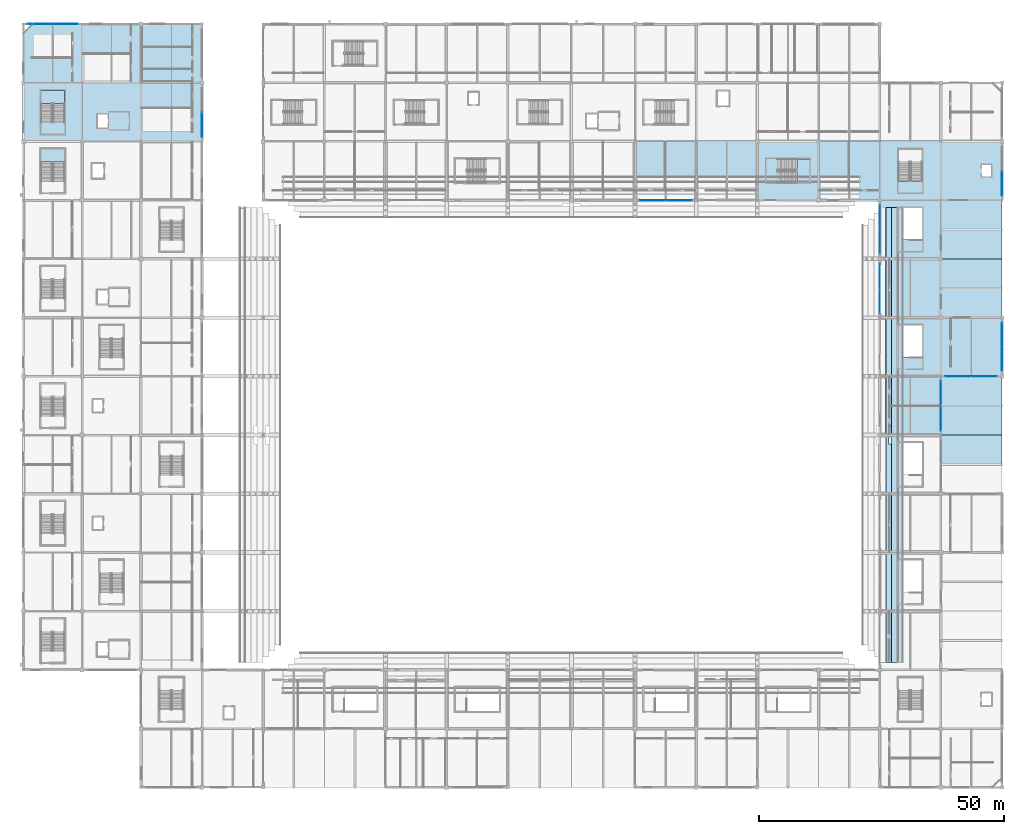
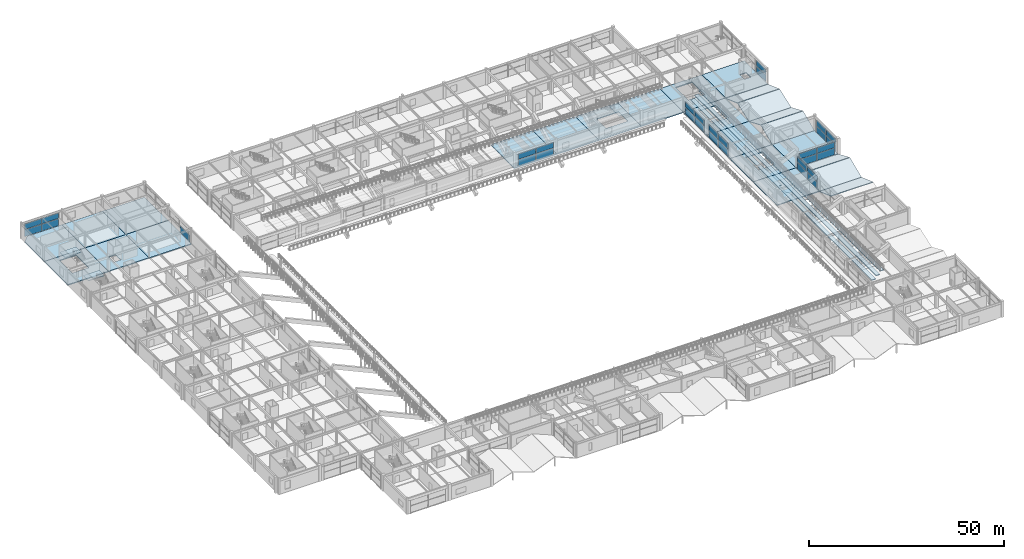
# One storey, part 73 of 128: 31 plates, 30 slabs, 12 elements without a shape of their own.
"""IFC4 building model written with IfcOpenShell, lengths in metres."""

from ifc_helpers import new_model, si_unit, direction, frame, origin, origin_2d, place, context, subcontext, project, spatial, polyline, rectangle, outline, extrude, material, layer, layer_set, type_object, element, aggregate, save


model = new_model("IFC4")

# Units and contexts
model_context = context("Model", 3, precision=1e-05, world=origin(), true_north=direction((0.0, 1.0)))
body_context = subcontext(model_context, "Body", "Model", "MODEL_VIEW")
ifc_project = project(units=[si_unit("LENGTHUNIT", "METRE"), si_unit("AREAUNIT", "SQUARE_METRE"), si_unit("VOLUMEUNIT", "CUBIC_METRE"), si_unit("PLANEANGLEUNIT", "RADIAN"), si_unit("MASSUNIT", "GRAM", prefix="KILO")], contexts=[model_context])

# Site, building, storey
site_placement = place(None, origin())
site = spatial("IfcSite", under=ifc_project, at=site_placement, CompositionType="ELEMENT")
building_placement = place(site_placement, origin())
building = spatial("IfcBuilding", under=site, at=building_placement, Name="Kazenohara Klinker Stadium", CompositionType="ELEMENT")
storey_placement = place(building_placement, frame((0.0, 0.0, 15.300048828125)))
storey = spatial("IfcBuildingStorey", under=building, at=storey_placement, Name="L03", CompositionType="ELEMENT", Elevation=15.300048828125)

# Curtain wall, plates
ifc_material_1 = material(Name="Anodised aluminium and triple glazing", Category="aluminium")
ifc_layer_1 = layer(ifc_material_1, 0.179931640625)
ifc_layer_set_1 = layer_set([ifc_layer_1], Name="Anodised aluminium and triple glazing")
curtain_wall_type_1 = type_object("IfcCurtainWallType", Name="CW-SYS-02", PredefinedType="USERDEFINED", material=ifc_layer_set_1)
curtain_wall_1_placement = place(storey_placement, origin())
curtain_wall_1 = element("IfcCurtainWall", 1, at=curtain_wall_1_placement, inside=storey, type_object=curtain_wall_type_1, Name="Unitised facade curtain wall CW02 L03 X0-14", ObjectType="UNITISED CURTAIN WALL", PredefinedType="USERDEFINED")
ifc_material_2 = material(Name="Low-e laminated triple glazing", Category="glass")
ifc_layer_2 = layer(ifc_material_2, 0.0439453125)
ifc_layer_set_2 = layer_set([ifc_layer_2], Name="Low-e laminated triple glazing")
plate_type = type_object("IfcPlateType", Name="CW-PNL-44", PredefinedType="CURTAIN_PANEL", material=ifc_layer_set_2)
plate_1_placement = place(storey_placement, frame((3.451904296875, 168.0, 0.074951171875), z_axis=(0.0, 0.0, 1.0), x_axis=(1.0, 0.0, 0.0)))
plate_1 = element("IfcPlate", 2, at=plate_1_placement, type_object=plate_type, Name="CW02 panel 1.1", PredefinedType="CURTAIN_PANEL", context=body_context, shape_type="SweptSolid", body=[
    extrude(rectangle(XDim=5.0458984375, YDim=0.0439453125, at=origin_2d()), origin(), (0.0, 0.0, 1.0), 2.18212890625),
])
plate_2_placement = place(storey_placement, frame((3.451904296875, 168.0, 2.33203125), z_axis=(0.0, 0.0, 1.0), x_axis=(1.0, 0.0, 0.0)))
plate_2 = element("IfcPlate", 3, at=plate_2_placement, type_object=plate_type, Name="CW02 panel 1.2", PredefinedType="CURTAIN_PANEL", context=body_context, shape_type="SweptSolid", body=[
    extrude(rectangle(XDim=5.0458984375, YDim=0.0439453125, at=origin_2d()), origin(), (0.0, 0.0, 1.0), 1.764892578125),
])
plate_3_placement = place(storey_placement, frame((8.572998046875, 168.0, 0.074951171875), z_axis=(0.0, 0.0, 1.0), x_axis=(1.0, 0.0, 0.0)))
plate_3 = element("IfcPlate", 4, at=plate_3_placement, type_object=plate_type, Name="CW02 panel 2.1", PredefinedType="CURTAIN_PANEL", context=body_context, shape_type="SweptSolid", body=[
    extrude(rectangle(XDim=5.0458984375, YDim=0.0439453125, at=origin_2d()), origin(), (0.0, 0.0, 1.0), 2.18212890625),
])
plate_4_placement = place(storey_placement, frame((8.572998046875, 168.0, 2.33203125), z_axis=(0.0, 0.0, 1.0), x_axis=(1.0, 0.0, 0.0)))
plate_4 = element("IfcPlate", 5, at=plate_4_placement, type_object=plate_type, Name="CW02 panel 2.2", PredefinedType="CURTAIN_PANEL", context=body_context, shape_type="SweptSolid", body=[
    extrude(rectangle(XDim=5.0458984375, YDim=0.0439453125, at=origin_2d()), origin(), (0.0, 0.0, 1.0), 1.764892578125),
])
aggregate(curtain_wall_1, [plate_1, plate_2, plate_3, plate_4])

# Curtain wall, plate
ifc_layer_3 = layer(ifc_material_1, 0.18994140625)
ifc_layer_set_3 = layer_set([ifc_layer_3], Name="Anodised aluminium and triple glazing")
curtain_wall_type_2 = type_object("IfcCurtainWallType", Name="CW-SYS-05", PredefinedType="USERDEFINED", material=ifc_layer_set_3)
curtain_wall_2_placement = place(storey_placement, origin())
curtain_wall_2 = element("IfcCurtainWall", 6, at=curtain_wall_2_placement, inside=storey, type_object=curtain_wall_type_2, Name="Unitised facade curtain wall CW05 L03 Y3-12", ObjectType="UNITISED CURTAIN WALL", PredefinedType="USERDEFINED")
plate_5_placement = place(storey_placement, frame((36.5, 147.376953125, 0.074951171875), z_axis=(0.0, 0.0, 1.0), x_axis=(0.0, 1.0, 0.0)))
plate_5 = element("IfcPlate", 7, at=plate_5_placement, type_object=plate_type, Name="CW05 panel 1.1", PredefinedType="CURTAIN_PANEL", context=body_context, shape_type="SweptSolid", body=[
    extrude(rectangle(XDim=4.946044921875, YDim=0.0439453125, at=origin_2d()), origin(), (0.0, 0.0, 1.0), 2.12060546875),
])
aggregate(curtain_wall_2, [plate_5])

# Curtain wall, plates
curtain_wall_3_placement = place(storey_placement, origin())
curtain_wall_3 = element("IfcCurtainWall", 8, at=curtain_wall_3_placement, inside=storey, type_object=curtain_wall_type_1, Name="Unitised facade curtain wall CW02 L03 X10-11", ObjectType="UNITISED CURTAIN WALL", PredefinedType="USERDEFINED")
plate_6_placement = place(storey_placement, frame((128.683349609375, 132.0, 0.074951171875), z_axis=(0.0, 0.0, 1.0), x_axis=(1.0, 0.0, 0.0)))
plate_6 = element("IfcPlate", 9, at=plate_6_placement, type_object=plate_type, Name="CW02 panel 1.1", PredefinedType="CURTAIN_PANEL", context=body_context, shape_type="SweptSolid", body=[
    extrude(rectangle(XDim=5.20849609375, YDim=0.0439453125, at=origin_2d()), origin(), (0.0, 0.0, 1.0), 2.12060546875),
])
plate_7_placement = place(storey_placement, frame((128.683349609375, 132.0, 2.2705078125), z_axis=(0.0, 0.0, 1.0), x_axis=(1.0, 0.0, 0.0)))
plate_7 = element("IfcPlate", 10, at=plate_7_placement, type_object=plate_type, Name="CW02 panel 1.2", PredefinedType="CURTAIN_PANEL", context=body_context, shape_type="SweptSolid", body=[
    extrude(rectangle(XDim=5.20849609375, YDim=0.0439453125, at=origin_2d()), origin(), (0.0, 0.0, 1.0), 1.714599609375),
])
plate_8_placement = place(storey_placement, frame((133.966796875, 132.0, 0.074951171875), z_axis=(0.0, 0.0, 1.0), x_axis=(1.0, 0.0, 0.0)))
plate_8 = element("IfcPlate", 11, at=plate_8_placement, type_object=plate_type, Name="CW02 panel 2.1", PredefinedType="CURTAIN_PANEL", context=body_context, shape_type="SweptSolid", body=[
    extrude(rectangle(XDim=5.20849609375, YDim=0.0439453125, at=origin_2d()), origin(), (0.0, 0.0, 1.0), 2.12060546875),
])
plate_9_placement = place(storey_placement, frame((133.966796875, 132.0, 2.2705078125), z_axis=(0.0, 0.0, 1.0), x_axis=(1.0, 0.0, 0.0)))
plate_9 = element("IfcPlate", 12, at=plate_9_placement, type_object=plate_type, Name="CW02 panel 2.2", PredefinedType="CURTAIN_PANEL", context=body_context, shape_type="SweptSolid", body=[
    extrude(rectangle(XDim=5.20849609375, YDim=0.0439453125, at=origin_2d()), origin(), (0.0, 0.0, 1.0), 1.714599609375),
])
aggregate(curtain_wall_3, [plate_6, plate_7, plate_8, plate_9])

curtain_wall_4_placement = place(storey_placement, origin())
curtain_wall_4 = element("IfcCurtainWall", 13, at=curtain_wall_4_placement, inside=storey, type_object=curtain_wall_type_2, Name="Unitised facade curtain wall CW05 L03 Y15-7", ObjectType="UNITISED CURTAIN WALL", PredefinedType="USERDEFINED")
plate_10_placement = place(storey_placement, frame((187.5, 87.451904296875, 0.07470703125), z_axis=(0.0, 0.0, 1.0), x_axis=(0.0, 1.0, 0.0)))
plate_10 = element("IfcPlate", 14, at=plate_10_placement, type_object=plate_type, Name="CW05 panel 1.1", PredefinedType="CURTAIN_PANEL", context=body_context, shape_type="SweptSolid", body=[
    extrude(rectangle(XDim=5.0458984375, YDim=0.0439453125, at=origin_2d()), origin(), (0.0, 0.0, 1.0), 2.175537109375),
])
plate_11_placement = place(storey_placement, frame((187.5, 87.451904296875, 2.32568359375), z_axis=(0.0, 0.0, 1.0), x_axis=(0.0, 1.0, 0.0)))
plate_11 = element("IfcPlate", 15, at=plate_11_placement, type_object=plate_type, Name="CW05 panel 1.2", PredefinedType="CURTAIN_PANEL", context=body_context, shape_type="SweptSolid", body=[
    extrude(rectangle(XDim=5.0458984375, YDim=0.0439453125, at=origin_2d()), origin(), (0.0, 0.0, 1.0), 1.759521484375),
])
plate_12_placement = place(storey_placement, frame((187.5, 92.572998046875, 0.07470703125), z_axis=(0.0, 0.0, 1.0), x_axis=(0.0, 1.0, 0.0)))
plate_12 = element("IfcPlate", 16, at=plate_12_placement, type_object=plate_type, Name="CW05 panel 2.1", PredefinedType="CURTAIN_PANEL", context=body_context, shape_type="SweptSolid", body=[
    extrude(rectangle(XDim=5.0458984375, YDim=0.0439453125, at=origin_2d()), origin(), (0.0, 0.0, 1.0), 2.175537109375),
])
plate_13_placement = place(storey_placement, frame((187.5, 92.572998046875, 2.32568359375), z_axis=(0.0, 0.0, 1.0), x_axis=(0.0, 1.0, 0.0)))
plate_13 = element("IfcPlate", 17, at=plate_13_placement, type_object=plate_type, Name="CW05 panel 2.2", PredefinedType="CURTAIN_PANEL", context=body_context, shape_type="SweptSolid", body=[
    extrude(rectangle(XDim=5.0458984375, YDim=0.0439453125, at=origin_2d()), origin(), (0.0, 0.0, 1.0), 1.759521484375),
])
aggregate(curtain_wall_4, [plate_10, plate_11, plate_12, plate_13])

ifc_layer_4 = layer(ifc_material_1, 0.159912109375)
ifc_layer_set_4 = layer_set([ifc_layer_4], Name="Anodised aluminium and triple glazing")
curtain_wall_type_3 = type_object("IfcCurtainWallType", Name="CW-SYS-01", PredefinedType="USERDEFINED", material=ifc_layer_set_4)
curtain_wall_5_placement = place(storey_placement, origin())
curtain_wall_5 = element("IfcCurtainWall", 18, at=curtain_wall_5_placement, inside=storey, type_object=curtain_wall_type_3, Name="Unitised facade curtain wall CW01 L03 Y14-9", ObjectType="UNITISED CURTAIN WALL", PredefinedType="USERDEFINED")
plate_14_placement = place(storey_placement, frame((175.0, 111.376953125, 0.074951171875), z_axis=(0.0, 0.0, 1.0), x_axis=(0.0, 1.0, 0.0)))
plate_14 = element("IfcPlate", 19, at=plate_14_placement, type_object=plate_type, Name="CW01 panel 1.1", PredefinedType="CURTAIN_PANEL", context=body_context, shape_type="SweptSolid", body=[
    extrude(rectangle(XDim=4.946044921875, YDim=0.0439453125, at=origin_2d()), origin(), (0.0, 0.0, 1.0), 2.18212890625),
])
plate_15_placement = place(storey_placement, frame((175.0, 111.376953125, 2.33203125), z_axis=(0.0, 0.0, 1.0), x_axis=(0.0, 1.0, 0.0)))
plate_15 = element("IfcPlate", 20, at=plate_15_placement, type_object=plate_type, Name="CW01 panel 1.2", PredefinedType="CURTAIN_PANEL", context=body_context, shape_type="SweptSolid", body=[
    extrude(rectangle(XDim=4.946044921875, YDim=0.0439453125, at=origin_2d()), origin(), (0.0, 0.0, 1.0), 1.764892578125),
])
plate_16_placement = place(storey_placement, frame((175.0, 116.39794921875, 0.074951171875), z_axis=(0.0, 0.0, 1.0), x_axis=(0.0, 1.0, 0.0)))
plate_16 = element("IfcPlate", 21, at=plate_16_placement, type_object=plate_type, Name="CW01 panel 2.1", PredefinedType="CURTAIN_PANEL", context=body_context, shape_type="SweptSolid", body=[
    extrude(rectangle(XDim=4.946044921875, YDim=0.0439453125, at=origin_2d()), origin(), (0.0, 0.0, 1.0), 2.18212890625),
])
plate_17_placement = place(storey_placement, frame((175.0, 116.39794921875, 2.33203125), z_axis=(0.0, 0.0, 1.0), x_axis=(0.0, 1.0, 0.0)))
plate_17 = element("IfcPlate", 22, at=plate_17_placement, type_object=plate_type, Name="CW01 panel 2.2", PredefinedType="CURTAIN_PANEL", context=body_context, shape_type="SweptSolid", body=[
    extrude(rectangle(XDim=4.946044921875, YDim=0.0439453125, at=origin_2d()), origin(), (0.0, 0.0, 1.0), 1.764892578125),
])
aggregate(curtain_wall_5, [plate_14, plate_15, plate_16, plate_17])

curtain_wall_6_placement = place(storey_placement, origin())
curtain_wall_6 = element("IfcCurtainWall", 23, at=curtain_wall_6_placement, inside=storey, type_object=curtain_wall_type_1, Name="Unitised facade curtain wall CW02 L03 Y14-10", ObjectType="UNITISED CURTAIN WALL", PredefinedType="USERDEFINED")
plate_18_placement = place(storey_placement, frame((175.0, 123.558349609375, 0.074951171875), z_axis=(0.0, 0.0, 1.0), x_axis=(0.0, 1.0, 0.0)))
plate_18 = element("IfcPlate", 24, at=plate_18_placement, type_object=plate_type, Name="CW02 panel 1.1", PredefinedType="CURTAIN_PANEL", context=body_context, shape_type="SweptSolid", body=[
    extrude(rectangle(XDim=4.8583984375, YDim=0.0439453125, at=origin_2d()), origin(), (0.0, 0.0, 1.0), 2.12060546875),
])
plate_19_placement = place(storey_placement, frame((175.0, 123.558349609375, 2.2705078125), z_axis=(0.0, 0.0, 1.0), x_axis=(0.0, 1.0, 0.0)))
plate_19 = element("IfcPlate", 25, at=plate_19_placement, type_object=plate_type, Name="CW02 panel 1.2", PredefinedType="CURTAIN_PANEL", context=body_context, shape_type="SweptSolid", body=[
    extrude(rectangle(XDim=4.8583984375, YDim=0.0439453125, at=origin_2d()), origin(), (0.0, 0.0, 1.0), 1.714599609375),
])
plate_20_placement = place(storey_placement, frame((175.0, 128.49169921875, 0.074951171875), z_axis=(0.0, 0.0, 1.0), x_axis=(0.0, 1.0, 0.0)))
plate_20 = element("IfcPlate", 26, at=plate_20_placement, type_object=plate_type, Name="CW02 panel 2.1", PredefinedType="CURTAIN_PANEL", context=body_context, shape_type="SweptSolid", body=[
    extrude(rectangle(XDim=4.8583984375, YDim=0.0439453125, at=origin_2d()), origin(), (0.0, 0.0, 1.0), 2.12060546875),
])
plate_21_placement = place(storey_placement, frame((175.0, 128.49169921875, 2.2705078125), z_axis=(0.0, 0.0, 1.0), x_axis=(0.0, 1.0, 0.0)))
plate_21 = element("IfcPlate", 27, at=plate_21_placement, type_object=plate_type, Name="CW02 panel 2.2", PredefinedType="CURTAIN_PANEL", context=body_context, shape_type="SweptSolid", body=[
    extrude(rectangle(XDim=4.8583984375, YDim=0.0439453125, at=origin_2d()), origin(), (0.0, 0.0, 1.0), 1.714599609375),
])
aggregate(curtain_wall_6, [plate_18, plate_19, plate_20, plate_21])

curtain_wall_7_placement = place(storey_placement, origin())
curtain_wall_7 = element("IfcCurtainWall", 28, at=curtain_wall_7_placement, inside=storey, type_object=curtain_wall_type_1, Name="Unitised facade curtain wall CW02 L03 X15-8", ObjectType="UNITISED CURTAIN WALL", PredefinedType="USERDEFINED")
plate_22_placement = place(storey_placement, frame((191.001953125, 96.0, 0.074951171875), z_axis=(0.0, 0.0, 1.0), x_axis=(1.0, 0.0, 0.0)))
plate_22 = element("IfcPlate", 29, at=plate_22_placement, type_object=plate_type, Name="CW02 panel 1.1", PredefinedType="CURTAIN_PANEL", context=body_context, shape_type="SweptSolid", body=[
    extrude(rectangle(XDim=5.196044921875, YDim=0.0439453125, at=origin_2d()), origin(), (0.0, 0.0, 1.0), 2.18212890625),
])
plate_23_placement = place(storey_placement, frame((191.001953125, 96.0, 2.33203125), z_axis=(0.0, 0.0, 1.0), x_axis=(1.0, 0.0, 0.0)))
plate_23 = element("IfcPlate", 30, at=plate_23_placement, type_object=plate_type, Name="CW02 panel 1.2", PredefinedType="CURTAIN_PANEL", context=body_context, shape_type="SweptSolid", body=[
    extrude(rectangle(XDim=5.196044921875, YDim=0.0439453125, at=origin_2d()), origin(), (0.0, 0.0, 1.0), 1.764892578125),
])
plate_24_placement = place(storey_placement, frame((196.27294921875, 96.0, 0.074951171875), z_axis=(0.0, 0.0, 1.0), x_axis=(1.0, 0.0, 0.0)))
plate_24 = element("IfcPlate", 31, at=plate_24_placement, type_object=plate_type, Name="CW02 panel 2.1", PredefinedType="CURTAIN_PANEL", context=body_context, shape_type="SweptSolid", body=[
    extrude(rectangle(XDim=5.196044921875, YDim=0.0439453125, at=origin_2d()), origin(), (0.0, 0.0, 1.0), 2.18212890625),
])
plate_25_placement = place(storey_placement, frame((196.27294921875, 96.0, 2.33203125), z_axis=(0.0, 0.0, 1.0), x_axis=(1.0, 0.0, 0.0)))
plate_25 = element("IfcPlate", 32, at=plate_25_placement, type_object=plate_type, Name="CW02 panel 2.2", PredefinedType="CURTAIN_PANEL", context=body_context, shape_type="SweptSolid", body=[
    extrude(rectangle(XDim=5.196044921875, YDim=0.0439453125, at=origin_2d()), origin(), (0.0, 0.0, 1.0), 1.764892578125),
])
aggregate(curtain_wall_7, [plate_22, plate_23, plate_24, plate_25])

ifc_layer_5 = layer(ifc_material_1, 0.199951171875)
ifc_layer_set_5 = layer_set([ifc_layer_5], Name="Anodised aluminium and triple glazing")
curtain_wall_type_4 = type_object("IfcCurtainWallType", Name="CW-SYS-03", PredefinedType="USERDEFINED", material=ifc_layer_set_5)
curtain_wall_8_placement = place(storey_placement, origin())
curtain_wall_8 = element("IfcCurtainWall", 33, at=curtain_wall_8_placement, inside=storey, type_object=curtain_wall_type_4, Name="Unitised facade curtain wall CW03 L03 Y16-8", ObjectType="UNITISED CURTAIN WALL", PredefinedType="USERDEFINED")
plate_26_placement = place(storey_placement, frame((200.0, 99.558349609375, 0.074951171875), z_axis=(0.0, 0.0, 1.0), x_axis=(0.0, 1.0, 0.0)))
plate_26 = element("IfcPlate", 34, at=plate_26_placement, type_object=plate_type, Name="CW03 panel 1.1", PredefinedType="CURTAIN_PANEL", context=body_context, shape_type="SweptSolid", body=[
    extrude(rectangle(XDim=4.8583984375, YDim=0.0439453125, at=origin_2d()), origin(), (0.0, 0.0, 1.0), 2.12060546875),
])
plate_27_placement = place(storey_placement, frame((200.0, 99.558349609375, 2.2705078125), z_axis=(0.0, 0.0, 1.0), x_axis=(0.0, 1.0, 0.0)))
plate_27 = element("IfcPlate", 35, at=plate_27_placement, type_object=plate_type, Name="CW03 panel 1.2", PredefinedType="CURTAIN_PANEL", context=body_context, shape_type="SweptSolid", body=[
    extrude(rectangle(XDim=4.8583984375, YDim=0.0439453125, at=origin_2d()), origin(), (0.0, 0.0, 1.0), 1.714599609375),
])
plate_28_placement = place(storey_placement, frame((200.0, 104.49169921875, 0.074951171875), z_axis=(0.0, 0.0, 1.0), x_axis=(0.0, 1.0, 0.0)))
plate_28 = element("IfcPlate", 36, at=plate_28_placement, type_object=plate_type, Name="CW03 panel 2.1", PredefinedType="CURTAIN_PANEL", context=body_context, shape_type="SweptSolid", body=[
    extrude(rectangle(XDim=4.8583984375, YDim=0.0439453125, at=origin_2d()), origin(), (0.0, 0.0, 1.0), 2.12060546875),
])
plate_29_placement = place(storey_placement, frame((200.0, 104.49169921875, 2.2705078125), z_axis=(0.0, 0.0, 1.0), x_axis=(0.0, 1.0, 0.0)))
plate_29 = element("IfcPlate", 37, at=plate_29_placement, type_object=plate_type, Name="CW03 panel 2.2", PredefinedType="CURTAIN_PANEL", context=body_context, shape_type="SweptSolid", body=[
    extrude(rectangle(XDim=4.8583984375, YDim=0.0439453125, at=origin_2d()), origin(), (0.0, 0.0, 1.0), 1.714599609375),
])
aggregate(curtain_wall_8, [plate_26, plate_27, plate_28, plate_29])

ifc_layer_6 = layer(ifc_material_1, 0.169921875)
ifc_layer_set_6 = layer_set([ifc_layer_6], Name="Anodised aluminium and triple glazing")
curtain_wall_type_5 = type_object("IfcCurtainWallType", Name="CW-SYS-04", PredefinedType="USERDEFINED", material=ifc_layer_set_6)
curtain_wall_9_placement = place(storey_placement, origin())
curtain_wall_9 = element("IfcCurtainWall", 38, at=curtain_wall_9_placement, inside=storey, type_object=curtain_wall_type_5, Name="Unitised facade curtain wall CW04 L03 Y16-11", ObjectType="UNITISED CURTAIN WALL", PredefinedType="USERDEFINED")
plate_30_placement = place(storey_placement, frame((200.0, 135.376953125, 0.074951171875), z_axis=(0.0, 0.0, 1.0), x_axis=(0.0, 1.0, 0.0)))
plate_30 = element("IfcPlate", 39, at=plate_30_placement, type_object=plate_type, Name="CW04 panel 1.1", PredefinedType="CURTAIN_PANEL", context=body_context, shape_type="SweptSolid", body=[
    extrude(rectangle(XDim=4.946044921875, YDim=0.0439453125, at=origin_2d()), origin(), (0.0, 0.0, 1.0), 2.12060546875),
])
plate_31_placement = place(storey_placement, frame((200.0, 135.376953125, 2.2705078125), z_axis=(0.0, 0.0, 1.0), x_axis=(0.0, 1.0, 0.0)))
plate_31 = element("IfcPlate", 40, at=plate_31_placement, type_object=plate_type, Name="CW04 panel 1.2", PredefinedType="CURTAIN_PANEL", context=body_context, shape_type="SweptSolid", body=[
    extrude(rectangle(XDim=4.946044921875, YDim=0.0439453125, at=origin_2d()), origin(), (0.0, 0.0, 1.0), 1.714599609375),
])
aggregate(curtain_wall_9, [plate_30, plate_31])

# Slabs
ifc_material_3 = material(Name="Concrete C40/50", Category="concrete")
ifc_layer_7 = layer(ifc_material_3, 0.280029296875)
ifc_layer_set_7 = layer_set([ifc_layer_7], Name="Concrete C40/50")
slab_type_1 = type_object("IfcSlabType", Name="SLB-FLR-280", PredefinedType="FLOOR", material=ifc_layer_set_7)
slab_1_placement = place(storey_placement, frame((0.0, 0.0, -0.280029296875)))
element("IfcSlab", 41, at=slab_1_placement, inside=storey, type_object=slab_type_1, Name="Floor slab FS04 L03 1/N", PredefinedType="FLOOR", context=body_context, shape_type="SweptSolid", body=[
    extrude(outline(polyline([(0.0, 144.0), (12.0, 144.0), (12.0, 156.0), (0.0, 156.0), (0.0, 144.0)]), holes=[polyline([(8.409912109375, 147.929931640625), (8.409912109375, 154.4599609375), (3.590087890625, 154.4599609375), (3.590087890625, 147.929931640625), (8.409912109375, 147.929931640625)])]), origin(), (0.0, 0.0, 1.0), 0.280029296875),
])
slab_2_placement = place(storey_placement, frame((0.0, 0.0, -0.280029296875)))
element("IfcSlab", 42, at=slab_2_placement, inside=storey, type_object=slab_type_1, Name="Floor slab FS04 L03 1/P", PredefinedType="FLOOR", context=body_context, shape_type="SweptSolid", body=[
    extrude(outline(polyline([(0.0, 156.0), (12.0, 156.0), (12.0, 168.0), (1.800048828125, 168.0), (0.0, 166.199951171875), (0.0, 156.0)])), origin(), (0.0, 0.0, 1.0), 0.280029296875),
])
slab_3_placement = place(storey_placement, frame((0.0, 0.0, -0.280029296875)))
element("IfcSlab", 43, at=slab_3_placement, inside=storey, type_object=slab_type_1, Name="Floor slab FS04 L03 2/N", PredefinedType="FLOOR", context=body_context, shape_type="SweptSolid", body=[
    extrude(outline(polyline([(12.0, 144.0), (24.0, 144.0), (24.0, 156.0), (12.0, 156.0), (12.0, 144.0)]), holes=[polyline([(15.14990234375, 146.85009765625), (17.25, 146.85009765625), (17.25, 149.550048828125), (15.14990234375, 149.550048828125), (15.14990234375, 146.85009765625)])]), origin(), (0.0, 0.0, 1.0), 0.280029296875),
])
slab_4_placement = place(storey_placement, frame((0.0, 0.0, -0.280029296875)))
element("IfcSlab", 44, at=slab_4_placement, inside=storey, type_object=slab_type_1, Name="Floor slab FS04 L03 2/P", PredefinedType="FLOOR", context=body_context, shape_type="SweptSolid", body=[
    extrude(outline(polyline([(12.0, 156.0), (24.0, 156.0), (24.0, 168.0), (12.0, 168.0), (12.0, 156.0)])), origin(), (0.0, 0.0, 1.0), 0.280029296875),
])
slab_5_placement = place(storey_placement, frame((0.0, 0.0, -0.280029296875)))
element("IfcSlab", 45, at=slab_5_placement, inside=storey, type_object=slab_type_1, Name="Floor slab FS04 L03 3/N", PredefinedType="FLOOR", context=body_context, shape_type="SweptSolid", body=[
    extrude(outline(polyline([(24.0, 144.0), (36.5, 144.0), (36.5, 156.0), (24.0, 156.0), (24.0, 144.0)])), origin(), (0.0, 0.0, 1.0), 0.280029296875),
])
slab_6_placement = place(storey_placement, frame((0.0, 0.0, -0.280029296875)))
element("IfcSlab", 46, at=slab_6_placement, inside=storey, type_object=slab_type_1, Name="Floor slab FS04 L03 3/P", PredefinedType="FLOOR", context=body_context, shape_type="SweptSolid", body=[
    extrude(outline(polyline([(24.0, 156.0), (36.5, 156.0), (36.5, 168.0), (24.0, 168.0), (24.0, 156.0)])), origin(), (0.0, 0.0, 1.0), 0.280029296875),
])
slab_7_placement = place(storey_placement, frame((0.0, 0.0, -0.280029296875)))
element("IfcSlab", 47, at=slab_7_placement, inside=storey, type_object=slab_type_1, Name="Floor slab FS04 L03 11/M", PredefinedType="FLOOR", context=body_context, shape_type="SweptSolid", body=[
    extrude(outline(polyline([(125.0, 132.0), (137.5, 132.0), (137.5, 144.0), (125.0, 144.0), (125.0, 132.0)])), origin(), (0.0, 0.0, 1.0), 0.280029296875),
])
slab_8_placement = place(storey_placement, frame((0.0, 0.0, -0.280029296875)))
element("IfcSlab", 48, at=slab_8_placement, inside=storey, type_object=slab_type_1, Name="Floor slab FS04 L03 12/M", PredefinedType="FLOOR", context=body_context, shape_type="SweptSolid", body=[
    extrude(outline(polyline([(137.5, 132.0), (150.0, 132.0), (150.0, 144.0), (137.5, 144.0), (137.5, 132.0)])), origin(), (0.0, 0.0, 1.0), 0.280029296875),
])
slab_9_placement = place(storey_placement, frame((0.0, 0.0, -0.280029296875)))
element("IfcSlab", 49, at=slab_9_placement, inside=storey, type_object=slab_type_1, Name="Floor slab FS04 L03 13/M", PredefinedType="FLOOR", context=body_context, shape_type="SweptSolid", body=[
    extrude(outline(polyline([(150.0, 132.0), (162.5, 132.0), (162.5, 144.0), (150.0, 144.0), (150.0, 132.0)]), holes=[polyline([(154.2099609375, 135.56005859375), (160.7099609375, 135.56005859375), (160.7099609375, 140.43994140625), (154.2099609375, 140.43994140625), (154.2099609375, 135.56005859375)])]), origin(), (0.0, 0.0, 1.0), 0.280029296875),
])
slab_10_placement = place(storey_placement, frame((0.0, 0.0, -0.280029296875)))
element("IfcSlab", 50, at=slab_10_placement, inside=storey, type_object=slab_type_1, Name="Floor slab FS04 L03 14/M", PredefinedType="FLOOR", context=body_context, shape_type="SweptSolid", body=[
    extrude(outline(polyline([(162.5, 132.0), (175.0, 132.0), (175.0, 144.0), (162.5, 144.0), (162.5, 132.0)])), origin(), (0.0, 0.0, 1.0), 0.280029296875),
])
slab_11_placement = place(storey_placement, frame((0.0, 0.0, -0.280029296875)))
element("IfcSlab", 51, at=slab_11_placement, inside=storey, type_object=slab_type_1, Name="Floor slab FS04 L03 15/H", PredefinedType="FLOOR", context=body_context, shape_type="SweptSolid", body=[
    extrude(outline(polyline([(175.0, 84.0), (187.5, 84.0), (187.5, 96.0), (175.0, 96.0), (175.0, 84.0)])), origin(), (0.0, 0.0, 1.0), 0.280029296875),
])
slab_12_placement = place(storey_placement, frame((0.0, 0.0, -0.280029296875)))
element("IfcSlab", 52, at=slab_12_placement, inside=storey, type_object=slab_type_1, Name="Floor slab FS04 L03 15/J", PredefinedType="FLOOR", context=body_context, shape_type="SweptSolid", body=[
    extrude(outline(polyline([(175.0, 96.0), (187.5, 96.0), (187.5, 108.0), (175.0, 108.0), (175.0, 96.0)]), holes=[polyline([(183.679931640625, 99.949951171875), (183.679931640625, 106.4599609375), (178.820068359375, 106.4599609375), (178.820068359375, 99.949951171875), (183.679931640625, 99.949951171875)])]), origin(), (0.0, 0.0, 1.0), 0.280029296875),
])
slab_13_placement = place(storey_placement, frame((0.0, 0.0, -0.280029296875)))
element("IfcSlab", 53, at=slab_13_placement, inside=storey, type_object=slab_type_1, Name="Floor slab FS04 L03 15/K", PredefinedType="FLOOR", context=body_context, shape_type="SweptSolid", body=[
    extrude(outline(polyline([(175.0, 108.0), (187.5, 108.0), (187.5, 120.0), (175.0, 120.0), (175.0, 108.0)])), origin(), (0.0, 0.0, 1.0), 0.280029296875),
])
slab_14_placement = place(storey_placement, frame((0.0, 0.0, -0.280029296875)))
element("IfcSlab", 54, at=slab_14_placement, inside=storey, type_object=slab_type_1, Name="Floor slab FS04 L03 15/L", PredefinedType="FLOOR", context=body_context, shape_type="SweptSolid", body=[
    extrude(outline(polyline([(175.0, 120.0), (187.5, 120.0), (187.5, 132.0), (175.0, 132.0), (175.0, 120.0)]), holes=[polyline([(183.68994140625, 123.9599609375), (183.68994140625, 130.4599609375), (178.81005859375, 130.4599609375), (178.81005859375, 123.9599609375), (183.68994140625, 123.9599609375)])]), origin(), (0.0, 0.0, 1.0), 0.280029296875),
])
slab_15_placement = place(storey_placement, frame((0.0, 0.0, -0.280029296875)))
element("IfcSlab", 55, at=slab_15_placement, inside=storey, type_object=slab_type_1, Name="Floor slab FS04 L03 15/M", PredefinedType="FLOOR", context=body_context, shape_type="SweptSolid", body=[
    extrude(outline(polyline([(175.0, 132.0), (187.5, 132.0), (187.5, 144.0), (175.0, 144.0), (175.0, 132.0)]), holes=[polyline([(183.68994140625, 135.9599609375), (183.68994140625, 142.4599609375), (178.81005859375, 142.4599609375), (178.81005859375, 135.9599609375), (183.68994140625, 135.9599609375)])]), origin(), (0.0, 0.0, 1.0), 0.280029296875),
])
slab_16_placement = place(storey_placement, frame((0.0, 0.0, -0.280029296875)))
element("IfcSlab", 56, at=slab_16_placement, inside=storey, type_object=slab_type_1, Name="Floor slab FS04 L03 16/J", PredefinedType="FLOOR", context=body_context, shape_type="SweptSolid", body=[
    extrude(outline(polyline([(187.5, 96.0), (200.0, 96.0), (200.0, 108.0), (187.5, 108.0), (187.5, 96.0)])), origin(), (0.0, 0.0, 1.0), 0.280029296875),
])
slab_17_placement = place(storey_placement, frame((0.0, 0.0, -0.280029296875)))
element("IfcSlab", 57, at=slab_17_placement, inside=storey, type_object=slab_type_1, Name="Floor slab FS04 L03 16/M", PredefinedType="FLOOR", context=body_context, shape_type="SweptSolid", body=[
    extrude(outline(polyline([(187.5, 132.0), (200.0, 132.0), (200.0, 144.0), (187.5, 144.0), (187.5, 132.0)]), holes=[polyline([(195.85009765625, 136.800048828125), (197.75, 136.800048828125), (197.75, 139.199951171875), (195.85009765625, 139.199951171875), (195.85009765625, 136.800048828125)])]), origin(), (0.0, 0.0, 1.0), 0.280029296875),
])

# Stair, slab
stair_type_1 = type_object("IfcStairType", Name="STR-DL-2300", PredefinedType="HALF_TURN_STAIR", material=ifc_material_3)
stair_1_placement = place(storey_placement, origin())
stair_1 = element("IfcStair", 58, at=stair_1_placement, inside=storey, type_object=stair_type_1, Name="L03 Enclosed escape stair ST05", PredefinedType="HALF_TURN_STAIR")
ifc_layer_8 = layer(ifc_material_3, 0.199951171875)
ifc_layer_set_8 = layer_set([ifc_layer_8], Name="Concrete C40/50")
slab_type_2 = type_object("IfcSlabType", Name="SLB-LND-200", PredefinedType="LANDING", material=ifc_layer_set_8)
slab_18_placement = place(storey_placement, frame((0.0, 0.0, 2.349853515625)))
slab_18 = element("IfcSlab", 59, at=slab_18_placement, type_object=slab_type_2, Name="ST05 landing 1", PredefinedType="LANDING", context=body_context, shape_type="SweptSolid", body=[
    extrude(outline(polyline([(8.39990234375, 139.760009765625), (8.39990234375, 142.4599609375), (3.60009765625, 142.4599609375), (3.60009765625, 139.760009765625), (8.39990234375, 139.760009765625)])), origin(), (0.0, 0.0, 1.0), 0.2001953125),
])
aggregate(stair_1, [slab_18])

stair_type_2 = type_object("IfcStairType", Name="STR-DL-2310", PredefinedType="HALF_TURN_STAIR", material=ifc_material_3)
stair_2_placement = place(storey_placement, origin())
stair_2 = element("IfcStair", 60, at=stair_2_placement, inside=storey, type_object=stair_type_2, Name="L03 Enclosed escape stair ST06", PredefinedType="HALF_TURN_STAIR")
slab_19_placement = place(storey_placement, frame((0.0, 0.0, 2.349853515625)))
slab_19 = element("IfcSlab", 61, at=slab_19_placement, type_object=slab_type_2, Name="ST06 landing 1", PredefinedType="LANDING", context=body_context, shape_type="SweptSolid", body=[
    extrude(outline(polyline([(8.409912109375, 151.77001953125), (8.409912109375, 154.4599609375), (3.590087890625, 154.4599609375), (3.590087890625, 151.77001953125), (8.409912109375, 151.77001953125)])), origin(), (0.0, 0.0, 1.0), 0.2001953125),
])
aggregate(stair_2, [slab_19])

stair_type_3 = type_object("IfcStairType", Name="STR-DL-2340", PredefinedType="HALF_TURN_STAIR", material=ifc_material_3)
stair_3_placement = place(storey_placement, origin())
stair_3 = element("IfcStair", 62, at=stair_3_placement, inside=storey, type_object=stair_type_3, Name="L03 Enclosed escape stair ST20", PredefinedType="HALF_TURN_STAIR")
slab_20_placement = place(storey_placement, frame((0.0, 0.0, 2.349853515625)))
slab_20 = element("IfcSlab", 63, at=slab_20_placement, type_object=slab_type_2, Name="ST20 landing 1", PredefinedType="LANDING", context=body_context, shape_type="SweptSolid", body=[
    extrude(outline(polyline([(158.050048828125, 135.56005859375), (160.7099609375, 135.56005859375), (160.7099609375, 140.43994140625), (158.050048828125, 140.43994140625), (158.050048828125, 135.56005859375)])), origin(), (0.0, 0.0, 1.0), 0.2001953125),
])
aggregate(stair_3, [slab_20])

# Slabs
ifc_material_4 = material(Name="Steel S355", Category="steel")
ifc_layer_9 = layer(ifc_material_4, 0.169921875)
ifc_layer_set_9 = layer_set([ifc_layer_9], Name="Steel S355")
slab_type_3 = type_object("IfcSlabType", Name="SLB-ROOF-170", PredefinedType="ROOF", material=ifc_layer_set_9)
slab_21_placement = place(storey_placement, frame((187.5, 78.050048828125, 2.070068359375), z_axis=(0.0, 0.339861612046, 0.940475456701), x_axis=(1.0, 0.0, 0.0)))
element("IfcSlab", 64, at=slab_21_placement, inside=storey, type_object=slab_type_3, Name="Sloped snow-shedding wing roof RS02 L03 16/G B", PredefinedType="ROOF", context=body_context, shape_type="SweptSolid", body=[
    extrude(outline(polyline([(0.0, 0.0), (12.5, 0.0), (12.5, 6.3265352960342245), (0.0, 6.3265352960342245), (0.0, 0.0)])), origin(), (0.0, 0.0, -1.0), 0.169921875),
])
for number, where, z_axis, x_axis, name in (
    (65, (187.5, 84.0, -0.080078125), (0.0, -0.39392840207, 0.919141128469), (1.0, 0.0, 0.0), "Sloped snow-shedding wing roof RS02 L03 16/H A"),
    (66, (187.5, 90.050048828125, 2.469970703125), (0.0, 0.39392840207, 0.919141128469), (1.0, 0.0, 0.0), "Sloped snow-shedding wing roof RS02 L03 16/H B"),
    (67, (187.5, 108.0, -0.080078125), (0.0, -0.39392840207, 0.919141128469), (1.0, 0.0, 0.0), "Sloped snow-shedding wing roof RS02 L03 16/K A"),
    (68, (187.5, 114.050048828125, 2.469970703125), (0.0, 0.39392840207, 0.919141128469), (1.0, 0.0, 0.0), "Sloped snow-shedding wing roof RS02 L03 16/K B"),
):
    element("IfcSlab", number, at=place(storey_placement, frame(where, z_axis=z_axis, x_axis=x_axis)), inside=storey, type_object=slab_type_3, Name=name, PredefinedType="ROOF", context=body_context, shape_type="SweptSolid", body=[
        extrude(outline(polyline([(0.0, 0.0), (12.5, 0.0), (12.5, 6.473381494514159), (0.0, 6.473381494514159), (0.0, 0.0)])), origin(), (0.0, 0.0, -1.0), 0.169921875),
    ])
for number, where, z_axis, x_axis, name in (
    (69, (187.5, 120.0, -0.080078125), (0.0, -0.339861612046, 0.940475456701), (1.0, 0.0, 0.0), "Sloped snow-shedding wing roof RS02 L03 16/L A"),
    (70, (187.5, 126.050048828125, 2.070068359375), (0.0, 0.339861612046, 0.940475456701), (1.0, 0.0, 0.0), "Sloped snow-shedding wing roof RS02 L03 16/L B"),
):
    element("IfcSlab", number, at=place(storey_placement, frame(where, z_axis=z_axis, x_axis=x_axis)), inside=storey, type_object=slab_type_3, Name=name, PredefinedType="ROOF", context=body_context, shape_type="SweptSolid", body=[
        extrude(outline(polyline([(0.0, 0.0), (12.5, 0.0), (12.5, 6.3265352960342245), (0.0, 6.3265352960342245), (0.0, 0.0)])), origin(), (0.0, 0.0, -1.0), 0.169921875),
    ])
ifc_material_5 = material(Name="Precast concrete C50/60", Category="concrete")
ifc_layer_10 = layer(ifc_material_5, 0.22998046875)
ifc_layer_set_10 = layer_set([ifc_layer_10], Name="Precast concrete C50/60")
slab_type_4 = type_object("IfcSlabType", Name="SLB-TIER-230", PredefinedType="USERDEFINED", material=ifc_layer_set_10)
slab_22_placement = place(storey_placement, frame((0.0, 0.0, 6.119873046875)))
element("IfcSlab", 71, at=slab_22_placement, inside=storey, type_object=slab_type_4, Name="Stand upper tier E-01", ObjectType="SEATING TIER", PredefinedType="USERDEFINED", context=body_context, shape_type="SweptSolid", body=[
    extrude(outline(polyline([(178.639892578125, 37.5), (179.800048828125, 37.5), (179.800048828125, 130.5), (178.639892578125, 130.5), (178.639892578125, 37.5)])), origin(), (0.0, 0.0, 1.0), 0.22998046875),
])
slab_23_placement = place(storey_placement, frame((0.0, 0.0, 5.111572265625)))
element("IfcSlab", 72, at=slab_23_placement, inside=storey, type_object=slab_type_4, Name="Stand upper tier E-02", ObjectType="SEATING TIER", PredefinedType="USERDEFINED", context=body_context, shape_type="SweptSolid", body=[
    extrude(outline(polyline([(177.43994140625, 37.5), (178.60009765625, 37.5), (178.60009765625, 130.5), (177.43994140625, 130.5), (177.43994140625, 37.5)])), origin(), (0.0, 0.0, 1.0), 0.22998046875),
])
slab_24_placement = place(storey_placement, frame((0.0, 0.0, 4.103271484375)))
element("IfcSlab", 73, at=slab_24_placement, inside=storey, type_object=slab_type_4, Name="Stand upper tier E-03", ObjectType="SEATING TIER", PredefinedType="USERDEFINED", context=body_context, shape_type="SweptSolid", body=[
    extrude(outline(polyline([(176.239990234375, 37.5), (177.39990234375, 37.5), (177.39990234375, 82.199951171875), (176.761962890625, 82.199951171875), (176.761962890625, 85.800048828125), (177.39990234375, 85.800048828125), (177.39990234375, 130.5), (176.239990234375, 130.5), (176.239990234375, 37.5)])), origin(), (0.0, 0.0, 1.0), 0.22998046875),
])

save(model, "model.ifc")
